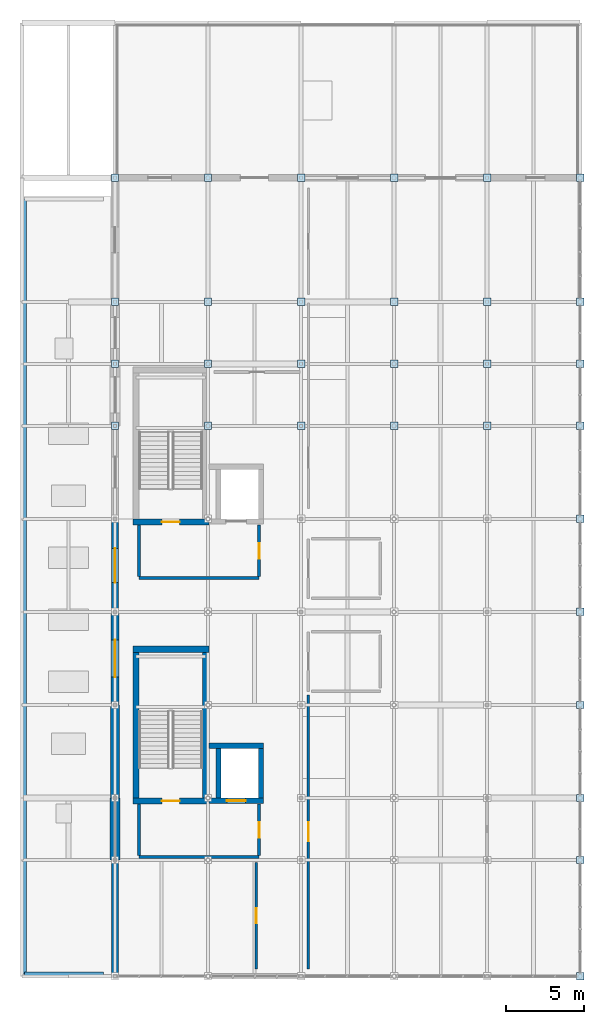
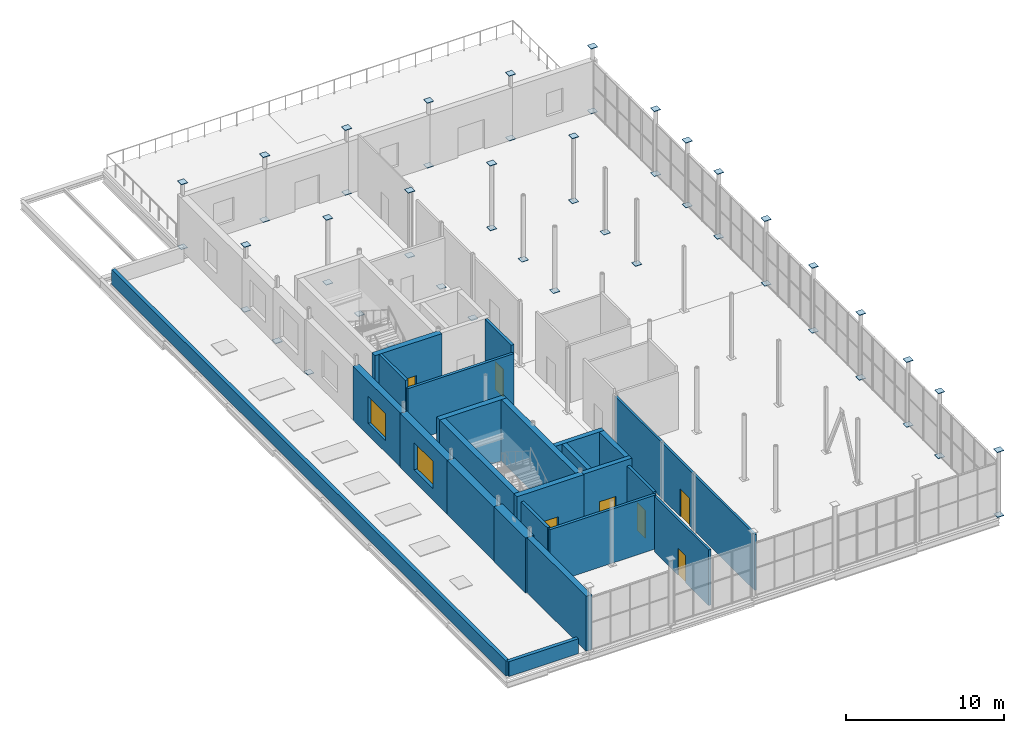
# One storey, part 23 of 27: 50 plates, 24 walls, 7 doors, 2 windows, 9 openings.
"""IFC4 building model written with IfcOpenShell, lengths in metres."""

from ifc_helpers import new_model, si_unit, direction, frame, frame_2d, origin, origin_2d, place, context, subcontext, project, spatial, rectangle, extrude, material, layer, layer_set, type_object, element, fill, save


model = new_model("IFC4")

# Units and contexts
model_context = context("Model", 3, precision=1e-05, world=origin(), true_north=direction((0.0, 1.0)))
body_context = subcontext(model_context, "Body", "Model", "MODEL_VIEW")
ifc_project = project(units=[si_unit("LENGTHUNIT", "METRE"), si_unit("AREAUNIT", "SQUARE_METRE"), si_unit("VOLUMEUNIT", "CUBIC_METRE"), si_unit("PLANEANGLEUNIT", "RADIAN"), si_unit("MASSUNIT", "GRAM", prefix="KILO")], contexts=[model_context])

# Site, building, storey
site_placement = place(None, origin())
site = spatial("IfcSite", under=ifc_project, at=site_placement, CompositionType="ELEMENT")
building_placement = place(site_placement, origin())
building = spatial("IfcBuilding", under=site, at=building_placement, Name="Verrall Gate Interchange", CompositionType="ELEMENT")
storey_placement = place(building_placement, frame((0.0, 0.0, 23.60009765625)))
storey = spatial("IfcBuildingStorey", under=building, at=storey_placement, Name="L06", CompositionType="ELEMENT", Elevation=23.60009765625)

# Plates
ifc_material_1 = material(Name="Structural Steel CSA G40.21 350WT Cat 4", Category="steel")
ifc_layer_1 = layer(ifc_material_1, 0.0400390625)
ifc_layer_set_1 = layer_set([ifc_layer_1], Name="Structural Steel CSA G40.21 350WT Cat 4")
plate_type = type_object("IfcPlateType", Name="BP-01 Base Plate 40", PredefinedType="USERDEFINED", material=ifc_layer_set_1)
for number, where, z_axis, x_axis, name in (
    (1, (6.0, 40.0, -0.02001953125), (0.0, 0.0, 1.0), (1.0, 0.0, 0.0), "L06 Hollow Column Transition Cap Plate 0196"),
    (2, (6.0, 44.0, -0.02001953125), (0.0, 0.0, 1.0), (1.0, 0.0, 0.0), "L06 Hollow Column Transition Cap Plate 0205"),
    (3, (6.0, 48.0, -0.02001953125), (0.0, 0.0, 1.0), (1.0, 0.0, 0.0), "L06 Hollow Column Transition Cap Plate 0214"),
    (4, (6.0, 48.0, 5.0), (0.0, 0.0, 1.0), (1.0, 0.0, 0.0), "L06 Hollow Column Top Cap Plate 0215"),
    (5, (6.0, 56.0, -0.02001953125), (0.0, 0.0, 1.0), (1.0, 0.0, 0.0), "L06 Hollow Column Transition Cap Plate 0222"),
    (6, (6.0, 56.0, 5.0), (0.0, 0.0, 1.0), (1.0, 0.0, 0.0), "L06 Hollow Column Top Cap Plate 0223"),
    (7, (12.0, 40.0, -0.02001953125), (0.0, 0.0, 1.0), (1.0, 0.0, 0.0), "L06 Hollow Column Transition Cap Plate 0313"),
    (8, (12.0, 44.0, -0.02001953125), (0.0, 0.0, 1.0), (1.0, 0.0, 0.0), "L06 Hollow Column Transition Cap Plate 0322"),
    (9, (12.0, 48.0, -0.02001953125), (0.0, 0.0, 1.0), (1.0, 0.0, 0.0), "L06 Hollow Column Transition Cap Plate 0331"),
    (10, (12.0, 48.0, 5.0), (0.0, 0.0, 1.0), (1.0, 0.0, 0.0), "L06 Hollow Column Top Cap Plate 0332"),
    (11, (12.0, 56.0, -0.02001953125), (0.0, 0.0, 1.0), (1.0, 0.0, 0.0), "L06 Hollow Column Transition Cap Plate 0339"),
    (12, (12.0, 56.0, 5.0), (0.0, 0.0, 1.0), (1.0, 0.0, 0.0), "L06 Hollow Column Top Cap Plate 0340"),
    (13, (18.0, 40.0, -0.02001953125), (0.0, 0.0, 1.0), (1.0, 0.0, 0.0), "L06 Hollow Column Transition Cap Plate 0430"),
    (14, (18.0, 44.0, -0.02001953125), (0.0, 0.0, 1.0), (1.0, 0.0, 0.0), "L06 Hollow Column Transition Cap Plate 0439"),
    (15, (18.0, 48.0, -0.02001953125), (0.0, 0.0, 1.0), (1.0, 0.0, 0.0), "L06 Hollow Column Transition Cap Plate 0448"),
    (16, (18.0, 48.0, 5.0), (0.0, 0.0, 1.0), (1.0, 0.0, 0.0), "L06 Hollow Column Top Cap Plate 0449"),
    (17, (18.0, 56.0, -0.02001953125), (0.0, 0.0, 1.0), (1.0, 0.0, 0.0), "L06 Hollow Column Transition Cap Plate 0456"),
    (18, (18.0, 56.0, 5.0), (0.0, 0.0, 1.0), (1.0, 0.0, 0.0), "L06 Hollow Column Top Cap Plate 0457"),
    (19, (24.0, 40.0, -0.02001953125), (0.0, 0.0, 1.0), (1.0, 0.0, 0.0), "L06 Hollow Column Transition Cap Plate 0547"),
    (20, (24.0, 44.0, -0.02001953125), (0.0, 0.0, 1.0), (1.0, 0.0, 0.0), "L06 Hollow Column Transition Cap Plate 0556"),
    (21, (24.0, 48.0, -0.02001953125), (0.0, 0.0, 1.0), (1.0, 0.0, 0.0), "L06 Hollow Column Transition Cap Plate 0565"),
    (22, (24.0, 48.0, 5.0), (0.0, 0.0, 1.0), (1.0, 0.0, 0.0), "L06 Hollow Column Top Cap Plate 0566"),
    (23, (24.0, 56.0, -0.02001953125), (0.0, 0.0, 1.0), (1.0, 0.0, 0.0), "L06 Hollow Column Transition Cap Plate 0573"),
    (24, (24.0, 56.0, 5.0), (0.0, 0.0, 1.0), (1.0, 0.0, 0.0), "L06 Hollow Column Top Cap Plate 0574"),
    (25, (30.0, 40.0, -0.02001953125), (0.0, 0.0, 1.0), (1.0, 0.0, 0.0), "L06 Hollow Column Transition Cap Plate 0664"),
    (26, (30.0, 44.0, -0.02001953125), (0.0, 0.0, 1.0), (1.0, 0.0, 0.0), "L06 Hollow Column Transition Cap Plate 0673"),
    (27, (30.0, 48.0, -0.02001953125), (0.0, 0.0, 1.0), (1.0, 0.0, 0.0), "L06 Hollow Column Transition Cap Plate 0682"),
    (28, (30.0, 48.0, 5.0), (0.0, 0.0, 1.0), (1.0, 0.0, 0.0), "L06 Hollow Column Top Cap Plate 0683"),
    (29, (30.0, 56.0, -0.02001953125), (0.0, 0.0, 1.0), (1.0, 0.0, 0.0), "L06 Hollow Column Transition Cap Plate 0690"),
    (30, (30.0, 56.0, 5.0), (0.0, 0.0, 1.0), (1.0, 0.0, 0.0), "L06 Hollow Column Top Cap Plate 0691"),
    (31, (36.0, 4.5, -0.02001953125), (0.0, 0.0, 1.0), (1.0, 0.0, 0.0), "L06 Hollow Column Transition Cap Plate 0728"),
    (32, (36.0, 4.5, 5.0), (0.0, 0.0, 1.0), (1.0, 0.0, 0.0), "L06 Hollow Column Top Cap Plate 0729"),
    (33, (36.0, 12.0, -0.02001953125), (0.0, 0.0, 1.0), (1.0, 0.0, 0.0), "L06 Hollow Column Transition Cap Plate 0736"),
    (34, (36.0, 12.0, 5.0), (0.0, 0.0, 1.0), (1.0, 0.0, 0.0), "L06 Hollow Column Top Cap Plate 0737"),
    (35, (36.0, 16.0, -0.02001953125), (0.0, 0.0, 1.0), (1.0, 0.0, 0.0), "L06 Hollow Column Transition Cap Plate 0744"),
    (36, (36.0, 16.0, 5.0), (0.0, 0.0, 1.0), (1.0, 0.0, 0.0), "L06 Hollow Column Top Cap Plate 0745"),
    (37, (36.0, 22.0, -0.02001953125), (0.0, 0.0, 1.0), (1.0, 0.0, 0.0), "L06 Hollow Column Transition Cap Plate 0752"),
    (38, (36.0, 22.0, 5.0), (0.0, 0.0, 1.0), (1.0, 0.0, 0.0), "L06 Hollow Column Top Cap Plate 0753"),
    (39, (36.0, 28.0, -0.02001953125), (0.0, 0.0, 1.0), (1.0, 0.0, 0.0), "L06 Hollow Column Transition Cap Plate 0760"),
    (40, (36.0, 28.0, 5.0), (0.0, 0.0, 1.0), (1.0, 0.0, 0.0), "L06 Hollow Column Top Cap Plate 0761"),
    (41, (36.0, 34.0, -0.02001953125), (0.0, 0.0, 1.0), (1.0, 0.0, 0.0), "L06 Hollow Column Transition Cap Plate 0768"),
    (42, (36.0, 34.0, 5.0), (0.0, 0.0, 1.0), (1.0, 0.0, 0.0), "L06 Hollow Column Top Cap Plate 0769"),
    (43, (36.0, 40.0, -0.02001953125), (0.0, 0.0, 1.0), (1.0, 0.0, 0.0), "L06 Hollow Column Transition Cap Plate 0776"),
    (44, (36.0, 40.0, 5.0), (0.0, 0.0, 1.0), (1.0, 0.0, 0.0), "L06 Hollow Column Top Cap Plate 0777"),
    (45, (36.0, 44.0, -0.02001953125), (0.0, 0.0, 1.0), (1.0, 0.0, 0.0), "L06 Hollow Column Transition Cap Plate 0784"),
    (46, (36.0, 44.0, 5.0), (0.0, 0.0, 1.0), (1.0, 0.0, 0.0), "L06 Hollow Column Top Cap Plate 0785"),
    (47, (36.0, 48.0, -0.02001953125), (0.0, 0.0, 1.0), (1.0, 0.0, 0.0), "L06 Hollow Column Transition Cap Plate 0792"),
    (48, (36.0, 48.0, 5.0), (0.0, 0.0, 1.0), (1.0, 0.0, 0.0), "L06 Hollow Column Top Cap Plate 0793"),
    (49, (36.0, 56.0, -0.02001953125), (0.0, 0.0, 1.0), (1.0, 0.0, 0.0), "L06 Hollow Column Transition Cap Plate 0800"),
    (50, (36.0, 56.0, 5.0), (0.0, 0.0, 1.0), (1.0, 0.0, 0.0), "L06 Hollow Column Top Cap Plate 0801"),
):
    element("IfcPlate", number, at=place(storey_placement, frame(where, z_axis=z_axis, x_axis=x_axis)), inside=storey, type_object=plate_type, Name=name, ObjectType="BASE_PLATE", PredefinedType="USERDEFINED", context=body_context, shape_type="SweptSolid", body=[
        extrude(rectangle(XDim=0.47998046875, YDim=0.47998046875, at=origin_2d()), origin(), (0.0, 0.0, 1.0), 0.0400390625),
    ])

# Wall
ifc_material_2 = material(Name="Tyndall Dolomitic Limestone Ashlar Cavity Assembly (U=0.18)", Category="masonry")
ifc_layer_2 = layer(ifc_material_2, 0.419921875)
ifc_layer_set_2 = layer_set([ifc_layer_2], Name="Tyndall Dolomitic Limestone Ashlar Cavity Assembly (U=0.18)")
wall_type_1 = type_object("IfcWallType", Name="EW-01 Exterior Solid Wall 420", PredefinedType="SOLIDWALL", material=ifc_layer_set_2)
wall_1_placement = place(storey_placement, frame((6.0, 12.008056640625, 0.0), z_axis=(0.0, 0.0, 1.0), x_axis=(0.0, -1.0, 0.0)))
element("IfcWall", 51, at=wall_1_placement, inside=storey, type_object=wall_type_1, Name="L06 Classical Limestone Facade Wall 153", PredefinedType="SOLIDWALL", context=body_context, shape_type="SweptSolid", body=[
    extrude(rectangle(XDim=7.51611328125, YDim=0.419921875, at=frame_2d((3.758056640625, 0.0))), origin(), (0.0, 0.0, 1.0), 4.2568359375),
])

# Wall, opening, window
ifc_material_3 = material(Name="Tyndall Dolomitic Limestone Ashlar Cavity Assembly (U=0.18)", Category="masonry")
ifc_layer_3 = layer(ifc_material_3, 0.4599609375)
ifc_layer_set_3 = layer_set([ifc_layer_3], Name="Tyndall Dolomitic Limestone Ashlar Cavity Assembly (U=0.18)")
wall_type_2 = type_object("IfcWallType", Name="EW-02 Exterior Solid Wall 460", PredefinedType="SOLIDWALL", material=ifc_layer_set_3)
wall_2_placement = place(storey_placement, frame((6.0, 34.008056640625, 0.0), z_axis=(0.0, 0.0, 1.0), x_axis=(0.0, -1.0, 0.0)))
wall_2 = element("IfcWall", 52, at=wall_2_placement, inside=storey, type_object=wall_type_2, Name="L06 Classical Limestone Facade Wall 149", PredefinedType="SOLIDWALL", context=body_context, shape_type="SweptSolid", body=[
    extrude(rectangle(XDim=6.01611328125, YDim=0.4599609375, at=frame_2d((3.008056640625, 0.0))), origin(), (0.0, 0.0, 1.0), 4.180908203125),
])
opening_1_placement = place(wall_2_placement, frame((1.907958984375, 0.0, 0.89990234375)))
opening_1 = element("IfcOpeningElement", 53, at=opening_1_placement, cuts=wall_2, Name="Opening WN-14", PredefinedType="OPENING", context=body_context, shape_type="SweptSolid", body=[
    extrude(rectangle(XDim=2.199951171875, YDim=2.10009765625, at=frame_2d((1.10009765625, 1.050048828125))), frame((0.0, 0.244873046875, 0.0), z_axis=(0.0, -1.0, 0.0), x_axis=(1.0, 0.0, 0.0)), (0.0, 0.0, 1.0), 0.48974609375),
])
ifc_material_4 = material(Name="Triple-Glazed Low-E Argon Bronze-Clad Window Unit (U=1.40)", Category="glass")
window_type_1 = type_object("IfcWindowType", Name="WN-14 Classical Deep-Reveal Window 2200x2100", PartitioningType="SINGLE_PANEL", PredefinedType="WINDOW", material=ifc_material_4)
window_1_placement = place(opening_1_placement, origin())
window_1 = element("IfcWindow", 54, at=window_1_placement, inside=storey, type_object=window_type_1, Name="L06 Classical Window 083 (WN-14)", OverallHeight=2.10009765625, OverallWidth=2.199951171875, PartitioningType="SINGLE_PANEL", PredefinedType="WINDOW", context=body_context, shape_type="SweptSolid", body=[
    extrude(rectangle(XDim=2.199951171875, YDim=2.10009765625, at=frame_2d((1.10009765625, 1.050048828125))), frame((0.0, 0.030029296875, 0.0), z_axis=(0.0, -1.0, 0.0), x_axis=(1.0, 0.0, 0.0)), (0.0, 0.0, 1.0), 0.06005859375),
])
fill(opening_1, window_1)

ifc_material_5 = material(Name="Prairie Charcoal Granite Plinth Rainscreen Assembly (U=0.18)", Category="masonry")
ifc_layer_4 = layer(ifc_material_5, 0.52001953125)
ifc_layer_set_4 = layer_set([ifc_layer_4], Name="Prairie Charcoal Granite Plinth Rainscreen Assembly (U=0.18)")
wall_type_3 = type_object("IfcWallType", Name="EW-03 Exterior Solid Wall 520", PredefinedType="SOLIDWALL", material=ifc_layer_set_4)
wall_3_placement = place(storey_placement, frame((6.0, 28.008056640625, 0.0), z_axis=(0.0, 0.0, 1.0), x_axis=(0.0, -1.0, 0.0)))
wall_3 = element("IfcWall", 55, at=wall_3_placement, inside=storey, type_object=wall_type_3, Name="L06 Classical Limestone Facade Wall 150", PredefinedType="SOLIDWALL", context=body_context, shape_type="SweptSolid", body=[
    extrude(rectangle(XDim=6.01611328125, YDim=0.52001953125, at=frame_2d((3.008056640625, 0.0))), origin(), (0.0, 0.0, 1.0), 4.180908203125),
])
opening_2_placement = place(wall_3_placement, frame((1.80810546875, 0.0, 0.89990234375)))
opening_2 = element("IfcOpeningElement", 56, at=opening_2_placement, cuts=wall_3, Name="Opening WN-15", PredefinedType="OPENING", context=body_context, shape_type="SweptSolid", body=[
    extrude(rectangle(XDim=2.39990234375, YDim=2.10009765625, at=frame_2d((1.199951171875, 1.050048828125))), frame((0.0, 0.27490234375, 0.0), z_axis=(0.0, -1.0, 0.0), x_axis=(1.0, 0.0, 0.0)), (0.0, 0.0, 1.0), 0.5498046875),
])
ifc_material_6 = material(Name="Triple-Glazed Low-E Argon Bronze-Clad Window Unit (U=1.40)", Category="glass")
window_type_2 = type_object("IfcWindowType", Name="WN-15 Classical Deep-Reveal Window 2400x2100", PartitioningType="SINGLE_PANEL", PredefinedType="WINDOW", material=ifc_material_6)
window_2_placement = place(opening_2_placement, origin())
window_2 = element("IfcWindow", 57, at=window_2_placement, inside=storey, type_object=window_type_2, Name="L06 Classical Window 084 (WN-15)", OverallHeight=2.10009765625, OverallWidth=2.39990234375, PartitioningType="SINGLE_PANEL", PredefinedType="WINDOW", context=body_context, shape_type="SweptSolid", body=[
    extrude(rectangle(XDim=2.39990234375, YDim=2.10009765625, at=frame_2d((1.199951171875, 1.050048828125))), frame((0.0, 0.030029296875, 0.0), z_axis=(0.0, -1.0, 0.0), x_axis=(1.0, 0.0, 0.0)), (0.0, 0.0, 1.0), 0.06005859375),
])
fill(opening_2, window_2)

# Walls
ifc_material_7 = material(Name="Tyndall Dolomitic Limestone Ashlar Cavity Assembly (U=0.18)", Category="masonry")
ifc_layer_5 = layer(ifc_material_7, 0.56005859375)
ifc_layer_set_5 = layer_set([ifc_layer_5], Name="Tyndall Dolomitic Limestone Ashlar Cavity Assembly (U=0.18)")
wall_type_4 = type_object("IfcWallType", Name="EW-04 Exterior Solid Wall 560", PredefinedType="SOLIDWALL", material=ifc_layer_set_5)
wall_4_placement = place(storey_placement, frame((6.0, 22.008056640625, 0.0), z_axis=(0.0, 0.0, 1.0), x_axis=(0.0, -1.0, 0.0)))
element("IfcWall", 58, at=wall_4_placement, inside=storey, type_object=wall_type_4, Name="L06 Classical Limestone Facade Wall 151", PredefinedType="SOLIDWALL", context=body_context, shape_type="SweptSolid", body=[
    extrude(rectangle(XDim=6.01611328125, YDim=0.56005859375, at=frame_2d((3.008056640625, 0.0))), origin(), (0.0, 0.0, 1.0), 4.180908203125),
])
ifc_material_8 = material(Name="Prairie Charcoal Granite Plinth Rainscreen Assembly (U=0.18)", Category="masonry")
ifc_layer_6 = layer(ifc_material_8, 0.6201171875)
ifc_layer_set_6 = layer_set([ifc_layer_6], Name="Prairie Charcoal Granite Plinth Rainscreen Assembly (U=0.18)")
wall_type_5 = type_object("IfcWallType", Name="EW-05 Exterior Solid Wall 620", PredefinedType="SOLIDWALL", material=ifc_layer_set_6)
wall_5_placement = place(storey_placement, frame((6.0, 16.008056640625, 0.0), z_axis=(0.0, 0.0, 1.0), x_axis=(0.0, -1.0, 0.0)))
element("IfcWall", 59, at=wall_5_placement, inside=storey, type_object=wall_type_5, Name="L06 Classical Limestone Facade Wall 152", PredefinedType="SOLIDWALL", context=body_context, shape_type="SweptSolid", body=[
    extrude(rectangle(XDim=4.01611328125, YDim=0.6201171875, at=frame_2d((2.008056640625, 0.0))), origin(), (0.0, 0.0, 1.0), 4.2568359375),
])
ifc_material_9 = material(Name="Fire-Rated Type X Gypsum Stud Partition Assembly (60 min)", Category="gypsum")
ifc_layer_7 = layer(ifc_material_9, 0.199951171875)
ifc_layer_set_7 = layer_set([ifc_layer_7], Name="Fire-Rated Type X Gypsum Stud Partition Assembly (60 min)")
wall_type_6 = type_object("IfcWallType", Name="IW-01 Interior Partition Wall 200", PredefinedType="PARTITIONING", material=ifc_layer_set_7)
wall_6_placement = place(storey_placement, frame((7.550048828125, 12.199951171875, 0.0), z_axis=(0.0, 0.0, 1.0), x_axis=(1.0, 0.0, 0.0)))
element("IfcWall", 60, at=wall_6_placement, inside=storey, type_object=wall_type_6, Name="L06 Core C1 Lobby South Rated Wall", PredefinedType="PARTITIONING", context=body_context, shape_type="SweptSolid", body=[
    extrude(rectangle(XDim=7.75, YDim=0.199951171875, at=frame_2d((3.875, 0.0))), origin(), (0.0, 0.0, 1.0), 4.180908203125),
])
wall_7_placement = place(storey_placement, frame((7.550048828125, 15.60009765625, 0.0), z_axis=(0.0, 0.0, 1.0), x_axis=(0.0, -1.0, 0.0)))
element("IfcWall", 61, at=wall_7_placement, inside=storey, type_object=wall_type_6, Name="L06 Core C1 Lobby West Rated Wall", PredefinedType="PARTITIONING", context=body_context, shape_type="SweptSolid", body=[
    extrude(rectangle(XDim=3.320068359375, YDim=0.199951171875, at=frame_2d((1.66015625, 0.0))), origin(), (0.0, 0.0, 1.0), 4.2568359375),
])

# Wall, opening, door
wall_8_placement = place(storey_placement, frame((15.300048828125, 12.280029296875, 0.0), z_axis=(0.0, 0.0, 1.0), x_axis=(0.0, 1.0, 0.0)))
wall_8 = element("IfcWall", 62, at=wall_8_placement, inside=storey, type_object=wall_type_6, Name="L06 Core C1 Lobby East Rated Wall", PredefinedType="PARTITIONING", context=body_context, shape_type="SweptSolid", body=[
    extrude(rectangle(XDim=3.320068359375, YDim=0.199951171875, at=frame_2d((1.66015625, 0.0))), origin(), (0.0, 0.0, 1.0), 4.309814453125),
])
opening_3_placement = place(wall_8_placement, frame((1.159912109375, 0.0, 0.0)))
opening_3 = element("IfcOpeningElement", 63, at=opening_3_placement, cuts=wall_8, Name="Opening LBD017", PredefinedType="OPENING", context=body_context, shape_type="SweptSolid", body=[
    extrude(rectangle(XDim=1.0, YDim=2.14990234375, at=frame_2d((0.5, 1.074951171875))), frame((0.0, 0.11474609375, 0.0), z_axis=(0.0, -1.0, 0.0), x_axis=(1.0, 0.0, 0.0)), (0.0, 0.0, 1.0), 0.229736328125),
])
ifc_material_10 = material(Name="Hollow-Metal Fire-Rated Door Assembly", Category="metal")
door_type_1 = type_object("IfcDoorType", Name="ID-05 Interior Swing Door 1000x2150", OperationType="NOTDEFINED", PredefinedType="DOOR", material=ifc_material_10)
door_1_placement = place(opening_3_placement, origin())
door_1 = element("IfcDoor", 64, at=door_1_placement, inside=storey, type_object=door_type_1, Name="L06 Core C1 Lobby Fire Door LBD017", OperationType="SINGLE_SWING_LEFT", OverallHeight=2.14990234375, OverallWidth=1.0, PredefinedType="DOOR", context=body_context, shape_type="SweptSolid", body=[
    extrude(rectangle(XDim=1.0, YDim=2.14990234375, at=frame_2d((0.5, 1.074951171875))), frame((0.0, 0.02490234375, 0.0), z_axis=(0.0, -1.0, 0.0), x_axis=(1.0, 0.0, 0.0)), (0.0, 0.0, 1.0), 0.050048828125),
])
fill(opening_3, door_1)

# Walls
wall_9_placement = place(storey_placement, frame((7.550048828125, 30.199951171875, 0.0), z_axis=(0.0, 0.0, 1.0), x_axis=(1.0, 0.0, 0.0)))
element("IfcWall", 65, at=wall_9_placement, inside=storey, type_object=wall_type_6, Name="L06 Core C2 Lobby South Rated Wall", PredefinedType="PARTITIONING", context=body_context, shape_type="SweptSolid", body=[
    extrude(rectangle(XDim=7.75, YDim=0.199951171875, at=frame_2d((3.875, 0.0))), origin(), (0.0, 0.0, 1.0), 4.180908203125),
])
wall_10_placement = place(storey_placement, frame((7.550048828125, 33.60009765625, 0.0), z_axis=(0.0, 0.0, 1.0), x_axis=(0.0, -1.0, 0.0)))
element("IfcWall", 66, at=wall_10_placement, inside=storey, type_object=wall_type_6, Name="L06 Core C2 Lobby West Rated Wall", PredefinedType="PARTITIONING", context=body_context, shape_type="SweptSolid", body=[
    extrude(rectangle(XDim=3.320068359375, YDim=0.199951171875, at=frame_2d((1.66015625, 0.0))), origin(), (0.0, 0.0, 1.0), 4.75),
])

# Wall, opening, door
wall_11_placement = place(storey_placement, frame((15.300048828125, 30.280029296875, 0.0), z_axis=(0.0, 0.0, 1.0), x_axis=(0.0, 1.0, 0.0)))
wall_11 = element("IfcWall", 67, at=wall_11_placement, inside=storey, type_object=wall_type_6, Name="L06 Core C2 Lobby East Rated Wall", PredefinedType="PARTITIONING", context=body_context, shape_type="SweptSolid", body=[
    extrude(rectangle(XDim=3.320068359375, YDim=0.199951171875, at=frame_2d((1.66015625, 0.0))), origin(), (0.0, 0.0, 1.0), 4.75),
])
opening_4_placement = place(wall_11_placement, frame((1.159912109375, 0.0, 0.0)))
opening_4 = element("IfcOpeningElement", 68, at=opening_4_placement, cuts=wall_11, Name="Opening LBD035", PredefinedType="OPENING", context=body_context, shape_type="SweptSolid", body=[
    extrude(rectangle(XDim=1.0, YDim=2.14990234375, at=frame_2d((0.5, 1.074951171875))), frame((0.0, 0.11474609375, 0.0), z_axis=(0.0, -1.0, 0.0), x_axis=(1.0, 0.0, 0.0)), (0.0, 0.0, 1.0), 0.229736328125),
])
door_2_placement = place(opening_4_placement, origin())
door_2 = element("IfcDoor", 69, at=door_2_placement, inside=storey, type_object=door_type_1, Name="L06 Core C2 Lobby Fire Door LBD035", OperationType="SINGLE_SWING_LEFT", OverallHeight=2.14990234375, OverallWidth=1.0, PredefinedType="DOOR", context=body_context, shape_type="SweptSolid", body=[
    extrude(rectangle(XDim=1.0, YDim=2.14990234375, at=frame_2d((0.5, 1.074951171875))), frame((0.0, 0.02490234375, 0.0), z_axis=(0.0, -1.0, 0.0), x_axis=(1.0, 0.0, 0.0)), (0.0, 0.0, 1.0), 0.050048828125),
])
fill(opening_4, door_2)

ifc_material_11 = material(Name="Fire-Rated Type X Gypsum Stud Partition Assembly (60 min)", Category="gypsum")
ifc_layer_8 = layer(ifc_material_11, 0.159912109375)
ifc_layer_set_8 = layer_set([ifc_layer_8], Name="Fire-Rated Type X Gypsum Stud Partition Assembly (60 min)")
wall_type_7 = type_object("IfcWallType", Name="IW-02 Interior Partition Wall 160", PredefinedType="PARTITIONING", material=ifc_layer_set_8)
wall_12_placement = place(storey_placement, frame((18.47998046875, 4.97998046875, 0.0), z_axis=(0.0, 0.0, 1.0), x_axis=(0.0, 1.0, 0.0)))
wall_12 = element("IfcWall", 70, at=wall_12_placement, inside=storey, type_object=wall_type_7, Name="L06 Integrated Rail and Bus Operations Control Theatre Partition 098", PredefinedType="PARTITIONING", context=body_context, shape_type="SweptSolid", body=[
    extrude(rectangle(XDim=17.679931640625, YDim=0.159912109375, at=frame_2d((8.83984375, 0.0))), origin(), (0.0, 0.0, 1.0), 4.309814453125),
])
opening_5_placement = place(wall_12_placement, frame((8.239990234375, 0.0, 0.0)))
opening_5 = element("IfcOpeningElement", 71, at=opening_5_placement, cuts=wall_12, Name="Opening D064", PredefinedType="OPENING", context=body_context, shape_type="SweptSolid", body=[
    extrude(rectangle(XDim=1.199951171875, YDim=2.14990234375, at=frame_2d((0.60009765625, 1.074951171875))), frame((0.0, 0.0947265625, 0.0), z_axis=(0.0, -1.0, 0.0), x_axis=(1.0, 0.0, 0.0)), (0.0, 0.0, 1.0), 0.189697265625),
])
ifc_material_12 = material(Name="Architectural Solid-Core Birch Acoustic Door Assembly", Category="wood")
door_type_2 = type_object("IfcDoorType", Name="ID-15 Interior Swing Door 1200x2150", OperationType="NOTDEFINED", PredefinedType="DOOR", material=ifc_material_12)
door_3_placement = place(opening_5_placement, origin())
door_3 = element("IfcDoor", 72, at=door_3_placement, inside=storey, type_object=door_type_2, Name="L06 Integrated Rail and Bus Operations Control Theatre Door D064", OperationType="SINGLE_SWING_LEFT", OverallHeight=2.14990234375, OverallWidth=1.199951171875, PredefinedType="DOOR", context=body_context, shape_type="SweptSolid", body=[
    extrude(rectangle(XDim=1.199951171875, YDim=2.14990234375, at=frame_2d((0.60009765625, 1.074951171875))), frame((0.0, 0.02490234375, 0.0), z_axis=(0.0, -1.0, 0.0), x_axis=(1.0, 0.0, 0.0)), (0.0, 0.0, 1.0), 0.050048828125),
])
fill(opening_5, door_3)

wall_13_placement = place(storey_placement, frame((15.1201171875, 11.840087890625, 0.0), z_axis=(0.0, 0.0, 1.0), x_axis=(0.0, -1.0, 0.0)))
wall_13 = element("IfcWall", 73, at=wall_13_placement, inside=storey, type_object=wall_type_7, Name="L06 Shift Supervisor Briefing Office Partition 102", PredefinedType="PARTITIONING", context=body_context, shape_type="SweptSolid", body=[
    extrude(rectangle(XDim=6.860107421875, YDim=0.159912109375, at=frame_2d((3.43017578125, 0.0))), origin(), (0.0, 0.0, 1.0), 4.309814453125),
])
opening_6_placement = place(wall_13_placement, frame((2.949951171875, 0.0, 0.0)))
opening_6 = element("IfcOpeningElement", 74, at=opening_6_placement, cuts=wall_13, Name="Opening D068", PredefinedType="OPENING", context=body_context, shape_type="SweptSolid", body=[
    extrude(rectangle(XDim=0.9599609375, YDim=2.10009765625, at=frame_2d((0.47998046875, 1.050048828125))), frame((0.0, 0.0947265625, 0.0), z_axis=(0.0, -1.0, 0.0), x_axis=(1.0, 0.0, 0.0)), (0.0, 0.0, 1.0), 0.189697265625),
])
ifc_material_13 = material(Name="Architectural Solid-Core Birch Acoustic Door Assembly", Category="wood")
door_type_3 = type_object("IfcDoorType", Name="ID-11 Interior Swing Door 960x2100", OperationType="NOTDEFINED", PredefinedType="DOOR", material=ifc_material_13)
door_4_placement = place(opening_6_placement, origin())
door_4 = element("IfcDoor", 75, at=door_4_placement, inside=storey, type_object=door_type_3, Name="L06 Shift Supervisor Briefing Office Door D068", OperationType="SINGLE_SWING_LEFT", OverallHeight=2.10009765625, OverallWidth=0.9599609375, PredefinedType="DOOR", context=body_context, shape_type="SweptSolid", body=[
    extrude(rectangle(XDim=0.9599609375, YDim=2.10009765625, at=frame_2d((0.47998046875, 1.050048828125))), frame((0.0, 0.02490234375, 0.0), z_axis=(0.0, -1.0, 0.0), x_axis=(1.0, 0.0, 0.0)), (0.0, 0.0, 1.0), 0.050048828125),
])
fill(opening_6, door_4)

# Walls
ifc_material_14 = material(Name="Tyndall Dolomitic Limestone Ashlar Cavity Assembly (U=0.18)", Category="masonry")
ifc_layer_9 = layer(ifc_material_14, 0.260009765625)
ifc_layer_set_9 = layer_set([ifc_layer_9], Name="Tyndall Dolomitic Limestone Ashlar Cavity Assembly (U=0.18)")
wall_type_8 = type_object("IfcWallType", Name="PW-01 Parapet Wall 260", PredefinedType="PARAPET", material=ifc_layer_set_9)
wall_14_placement = place(storey_placement, frame((0.14990234375, 4.64990234375, 0.0), z_axis=(0.0, 0.0, 1.0), x_axis=(0.0, 1.0, 0.0)))
element("IfcWall", 76, at=wall_14_placement, inside=storey, type_object=wall_type_8, Name="L06 Classical Stone Roof Parapet 004", PredefinedType="PARAPET", context=body_context, shape_type="SweptSolid", body=[
    extrude(rectangle(XDim=50.0, YDim=0.260009765625, at=frame_2d((25.0, 0.0))), origin(), (0.0, 0.0, 1.0), 1.14990234375),
])
wall_15_placement = place(storey_placement, frame((0.14990234375, 4.64990234375, 0.0), z_axis=(0.0, 0.0, 1.0), x_axis=(1.0, 0.0, 0.0)))
element("IfcWall", 77, at=wall_15_placement, inside=storey, type_object=wall_type_8, Name="L06 Classical Stone Roof Parapet 005", PredefinedType="PARAPET", context=body_context, shape_type="SweptSolid", body=[
    extrude(rectangle(XDim=5.10009765625, YDim=0.260009765625, at=frame_2d((2.550048828125, 0.0))), origin(), (0.0, 0.0, 1.0), 1.14990234375),
])

# Wall, opening, door
ifc_material_15 = material(Name="Concrete CSA A23.1 40 MPa (Class N)", Category="concrete")
ifc_layer_10 = layer(ifc_material_15, 0.39990234375)
ifc_layer_set_10 = layer_set([ifc_layer_10], Name="Concrete CSA A23.1 40 MPa (Class N)")
wall_type_9 = type_object("IfcWallType", Name="SW-01 Core Shear Wall 400", PredefinedType="SHEAR", material=ifc_layer_set_10)
wall_16_placement = place(storey_placement, frame((7.14990234375, 15.800048828125, 0.0), z_axis=(0.0, 0.0, 1.0), x_axis=(1.0, 0.0, 0.0)))
wall_16 = element("IfcWall", 78, at=wall_16_placement, inside=storey, type_object=wall_type_9, Name="L06 Core C1 South Shear Wall", PredefinedType="SHEAR", context=body_context, shape_type="SweptSolid", body=[
    extrude(rectangle(XDim=4.900146484375, YDim=0.39990234375, at=frame_2d((2.4501953125, 0.0))), origin(), (0.0, 0.0, 1.0), 4.75),
])
opening_7_placement = place(wall_16_placement, frame((1.875, 0.0, 0.0)))
opening_7 = element("IfcOpeningElement", 79, at=opening_7_placement, cuts=wall_16, Name="Opening SD008", PredefinedType="OPENING", context=body_context, shape_type="SweptSolid", body=[
    extrude(rectangle(XDim=1.14990234375, YDim=2.14990234375, at=frame_2d((0.574951171875, 1.074951171875))), frame((0.0, 0.21484375, 0.0), z_axis=(0.0, -1.0, 0.0), x_axis=(1.0, 0.0, 0.0)), (0.0, 0.0, 1.0), 0.4296875),
])
ifc_material_16 = material(Name="Hollow-Metal Fire-Rated Door Assembly", Category="metal")
door_type_4 = type_object("IfcDoorType", Name="ID-02 Interior Swing Door 1150x2150", OperationType="NOTDEFINED", PredefinedType="DOOR", material=ifc_material_16)
door_5_placement = place(opening_7_placement, origin())
door_5 = element("IfcDoor", 80, at=door_5_placement, inside=storey, type_object=door_type_4, Name="L06 Stair ST-01 Fire Door SD008", OperationType="SINGLE_SWING_RIGHT", OverallHeight=2.14990234375, OverallWidth=1.14990234375, PredefinedType="DOOR", context=body_context, shape_type="SweptSolid", body=[
    extrude(rectangle(XDim=1.14990234375, YDim=2.14990234375, at=frame_2d((0.574951171875, 1.074951171875))), frame((0.0, 0.02490234375, 0.0), z_axis=(0.0, -1.0, 0.0), x_axis=(1.0, 0.0, 0.0)), (0.0, 0.0, 1.0), 0.050048828125),
])
fill(opening_7, door_5)

# Walls
wall_17_placement = place(storey_placement, frame((12.050048828125, 25.60009765625, 0.0), z_axis=(0.0, 0.0, 1.0), x_axis=(-1.0, 0.0, 0.0)))
element("IfcWall", 81, at=wall_17_placement, inside=storey, type_object=wall_type_9, Name="L06 Core C1 North Shear Wall", PredefinedType="SHEAR", context=body_context, shape_type="SweptSolid", body=[
    extrude(rectangle(XDim=4.900146484375, YDim=0.39990234375, at=frame_2d((2.4501953125, 0.0))), origin(), (0.0, 0.0, 1.0), 4.75),
])
for number, where, z_axis, x_axis, name in (
    (82, (7.35009765625, 25.39990234375, 0.0), (0.0, 0.0, 1.0), (0.0, -1.0, 0.0), "L06 Core C1 West Shear Wall"),
    (83, (11.85009765625, 16.0, 0.0), (0.0, 0.0, 1.0), (0.0, 1.0, 0.0), "L06 Core C1 East Shear Wall"),
):
    element("IfcWall", number, at=place(storey_placement, frame(where, z_axis=z_axis, x_axis=x_axis)), inside=storey, type_object=wall_type_9, Name=name, PredefinedType="SHEAR", context=body_context, shape_type="SweptSolid", body=[
        extrude(rectangle(XDim=9.39990234375, YDim=0.39990234375, at=frame_2d((4.699951171875, 0.0))), origin(), (0.0, 0.0, 1.0), 4.75),
    ])

# Wall, opening, door
wall_18_placement = place(storey_placement, frame((7.14990234375, 33.800048828125, 0.0), z_axis=(0.0, 0.0, 1.0), x_axis=(1.0, 0.0, 0.0)))
wall_18 = element("IfcWall", 84, at=wall_18_placement, inside=storey, type_object=wall_type_9, Name="L06 Core C2 South Shear Wall", PredefinedType="SHEAR", context=body_context, shape_type="SweptSolid", body=[
    extrude(rectangle(XDim=4.900146484375, YDim=0.39990234375, at=frame_2d((2.4501953125, 0.0))), origin(), (0.0, 0.0, 1.0), 4.75),
])
opening_8_placement = place(wall_18_placement, frame((1.875, 0.0, 0.0)))
opening_8 = element("IfcOpeningElement", 85, at=opening_8_placement, cuts=wall_18, Name="Opening SD026", PredefinedType="OPENING", context=body_context, shape_type="SweptSolid", body=[
    extrude(rectangle(XDim=1.14990234375, YDim=2.14990234375, at=frame_2d((0.574951171875, 1.074951171875))), frame((0.0, 0.21484375, 0.0), z_axis=(0.0, -1.0, 0.0), x_axis=(1.0, 0.0, 0.0)), (0.0, 0.0, 1.0), 0.4296875),
])
door_6_placement = place(opening_8_placement, origin())
door_6 = element("IfcDoor", 86, at=door_6_placement, inside=storey, type_object=door_type_4, Name="L06 Stair ST-02 Fire Door SD026", OperationType="SINGLE_SWING_RIGHT", OverallHeight=2.14990234375, OverallWidth=1.14990234375, PredefinedType="DOOR", context=body_context, shape_type="SweptSolid", body=[
    extrude(rectangle(XDim=1.14990234375, YDim=2.14990234375, at=frame_2d((0.574951171875, 1.074951171875))), frame((0.0, 0.02490234375, 0.0), z_axis=(0.0, -1.0, 0.0), x_axis=(1.0, 0.0, 0.0)), (0.0, 0.0, 1.0), 0.050048828125),
])
fill(opening_8, door_6)

ifc_material_17 = material(Name="Concrete CSA A23.1 40 MPa (Class N)", Category="concrete")
ifc_layer_11 = layer(ifc_material_17, 0.340087890625)
ifc_layer_set_11 = layer_set([ifc_layer_11], Name="Concrete CSA A23.1 40 MPa (Class N)")
wall_type_10 = type_object("IfcWallType", Name="SW-02 Core Shear Wall 340", PredefinedType="SHEAR", material=ifc_layer_set_11)
wall_19_placement = place(storey_placement, frame((12.050048828125, 15.830078125, 0.0), z_axis=(0.0, 0.0, 1.0), x_axis=(1.0, 0.0, 0.0)))
wall_19 = element("IfcWall", 87, at=wall_19_placement, inside=storey, type_object=wall_type_10, Name="L06 Elevator EL-01 South Shaft Wall", PredefinedType="SHEAR", context=body_context, shape_type="SweptSolid", body=[
    extrude(rectangle(XDim=3.5400390625, YDim=0.340087890625, at=frame_2d((1.77001953125, 0.0))), origin(), (0.0, 0.0, 1.0), 4.75),
])
opening_9_placement = place(wall_19_placement, frame((1.169921875, 0.0, 0.0)))
opening_9 = element("IfcOpeningElement", 88, at=opening_9_placement, cuts=wall_19, Name="Opening LD-01-L06", PredefinedType="OPENING", context=body_context, shape_type="SweptSolid", body=[
    extrude(rectangle(XDim=1.199951171875, YDim=2.199951171875, at=frame_2d((0.60009765625, 1.10009765625))), frame((0.0, 0.18505859375, 0.0), z_axis=(0.0, -1.0, 0.0), x_axis=(1.0, 0.0, 0.0)), (0.0, 0.0, 1.0), 0.369873046875),
])
ifc_material_18 = material(Name="Stainless-Steel Elevator Landing Sliding Door Assembly", Category="steel")
door_type_5 = type_object("IfcDoorType", Name="LD-02 Elevator Sliding Landing Door 1200x2200", OperationType="NOTDEFINED", PredefinedType="DOOR", material=ifc_material_18)
door_7_placement = place(opening_9_placement, origin())
door_7 = element("IfcDoor", 89, at=door_7_placement, inside=storey, type_object=door_type_5, Name="L06 Elevator EL-01 Sliding Landing Door", OperationType="DOUBLE_DOOR_SLIDING", OverallHeight=2.199951171875, OverallWidth=1.199951171875, PredefinedType="DOOR", context=body_context, shape_type="SweptSolid", body=[
    extrude(rectangle(XDim=1.199951171875, YDim=2.199951171875, at=frame_2d((0.60009765625, 1.10009765625))), frame((0.0, 0.02490234375, 0.0), z_axis=(0.0, -1.0, 0.0), x_axis=(1.0, 0.0, 0.0)), (0.0, 0.0, 1.0), 0.050048828125),
])
fill(opening_9, door_7)

# Walls
wall_20_placement = place(storey_placement, frame((15.590087890625, 19.3701171875, 0.0), z_axis=(0.0, 0.0, 1.0), x_axis=(-1.0, 0.0, 0.0)))
element("IfcWall", 90, at=wall_20_placement, inside=storey, type_object=wall_type_10, Name="L06 Elevator EL-01 North Shaft Wall", PredefinedType="SHEAR", context=body_context, shape_type="SweptSolid", body=[
    extrude(rectangle(XDim=3.5400390625, YDim=0.340087890625, at=frame_2d((1.77001953125, 0.0))), origin(), (0.0, 0.0, 1.0), 4.75),
])
for number, where, z_axis, x_axis, name in (
    (91, (12.679931640625, 19.199951171875, 0.0), (0.0, 0.0, 1.0), (0.0, -1.0, 0.0), "L06 Elevator EL-01 West Shaft Wall"),
    (92, (15.419921875, 16.0, 0.0), (0.0, 0.0, 1.0), (0.0, 1.0, 0.0), "L06 Elevator EL-01 East Shaft Wall"),
):
    element("IfcWall", number, at=place(storey_placement, frame(where, z_axis=z_axis, x_axis=x_axis)), inside=storey, type_object=wall_type_10, Name=name, PredefinedType="SHEAR", context=body_context, shape_type="SweptSolid", body=[
        extrude(rectangle(XDim=3.199951171875, YDim=0.340087890625, at=frame_2d((1.60009765625, 0.0))), origin(), (0.0, 0.0, 1.0), 4.75),
    ])

save(model, "model.ifc")
